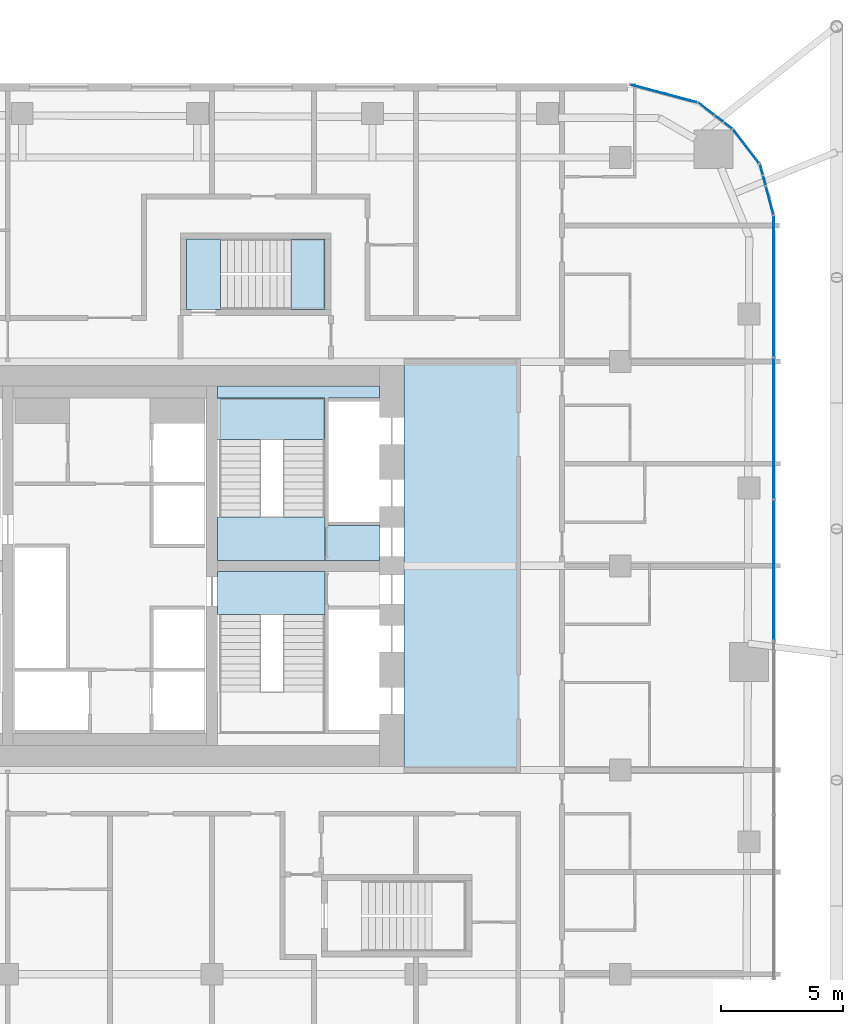
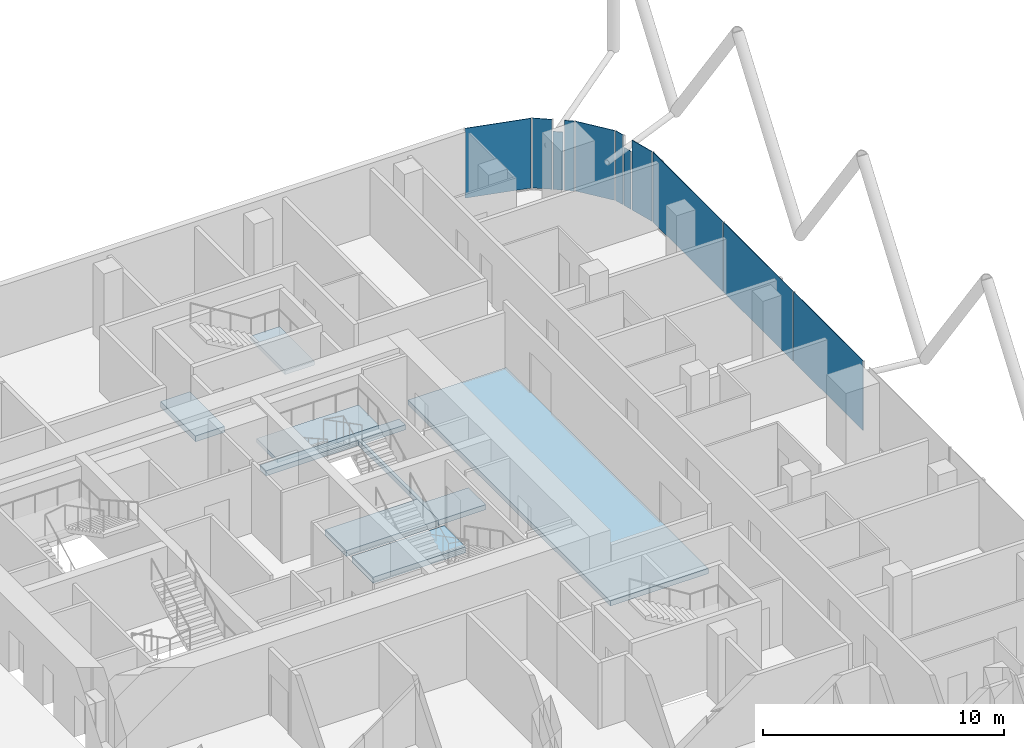
# One storey, part 26 of 36: 11 plates, 7 slabs, 11 elements without a shape of their own.
"""IFC4 building model written with IfcOpenShell, lengths in metres."""

from ifc_helpers import new_model, si_unit, direction, frame, origin, origin_2d, place, context, subcontext, project, spatial, polyline, rectangle, outline, extrude, material, layer, layer_set, type_object, element, aggregate, save


model = new_model("IFC4")

# Units and contexts
model_context = context("Model", 3, precision=1e-05, world=origin(), true_north=direction((0.0, 1.0)))
body_context = subcontext(model_context, "Body", "Model", "MODEL_VIEW")
ifc_project = project(units=[si_unit("LENGTHUNIT", "METRE"), si_unit("AREAUNIT", "SQUARE_METRE"), si_unit("VOLUMEUNIT", "CUBIC_METRE"), si_unit("PLANEANGLEUNIT", "RADIAN"), si_unit("MASSUNIT", "GRAM", prefix="KILO")], contexts=[model_context])

# Site, building, storey
site_placement = place(None, origin())
site = spatial("IfcSite", under=ifc_project, at=site_placement, CompositionType="ELEMENT")
building_placement = place(site_placement, origin())
building = spatial("IfcBuilding", under=site, at=building_placement, Name="Marenta Gate Hotel Tower", CompositionType="ELEMENT")
storey_placement = place(building_placement, frame((0.0, 0.0, 130.10009765625)))
storey = spatial("IfcBuildingStorey", under=building, at=storey_placement, Name="L29", CompositionType="ELEMENT", Elevation=130.10009765625)

# Slabs
ifc_material_1 = material(Name="Concrete C40", Category="concrete")
ifc_layer_1 = layer(ifc_material_1, 0.260009765625)
ifc_layer_set_1 = layer_set([ifc_layer_1], Name="Concrete C40")
slab_type_1 = type_object("IfcSlabType", Name="Core floor slab 260", PredefinedType="FLOOR", material=ifc_layer_set_1)
slab_1_placement = place(storey_placement, frame((0.0, 0.0, -0.260009765625)))
element("IfcSlab", 1, at=slab_1_placement, inside=storey, type_object=slab_type_1, Name="L29-CF-1", PredefinedType="FLOOR", context=body_context, shape_type="SweptSolid", body=[
    extrude(outline(polyline([(12.10009765625, 0.0), (12.10009765625, 16.800048828125), (16.800048828125, 16.800048828125), (16.800048828125, 0.0), (12.10009765625, 0.0)])), origin(), (0.0, 0.0, 1.0), 0.260009765625),
])
slab_2_placement = place(storey_placement, frame((0.0, 0.0, -0.260009765625)))
element("IfcSlab", 2, at=slab_2_placement, inside=storey, type_object=slab_type_1, Name="L29-CF-3", PredefinedType="FLOOR", context=body_context, shape_type="SweptSolid", body=[
    extrude(outline(polyline([(8.85009765625, 15.300048828125), (4.425048828125, 15.300048828125), (4.425048828125, 15.800048828125), (11.10009765625, 15.800048828125), (11.10009765625, 15.300048828125), (9.0, 15.300048828125), (9.0, 15.14990234375), (9.0, 12.75), (9.0, 12.60009765625), (9.0, 10.199951171875), (9.0, 10.050048828125), (11.10009765625, 10.050048828125), (11.10009765625, 8.625), (8.85009765625, 8.625), (8.85009765625, 8.699951171875), (8.85009765625, 10.39990234375), (8.85009765625, 15.300048828125)])), origin(), (0.0, 0.0, 1.0), 0.260009765625),
])

# Stair, slab
ifc_material_2 = material(Name="Concrete C40", Category="concrete")
stair_type_1 = type_object("IfcStairType", Name="Core exit stair 1700 wide", PredefinedType="HALF_TURN_STAIR", material=ifc_material_2)
stair_1_placement = place(storey_placement, origin())
stair_1 = element("IfcStair", 3, at=stair_1_placement, inside=storey, type_object=stair_type_1, Name="Exit stair 4", PredefinedType="HALF_TURN_STAIR")
ifc_material_3 = material(Name="Concrete C40", Category="concrete")
ifc_layer_2 = layer(ifc_material_3, 0.199951171875)
ifc_layer_set_2 = layer_set([ifc_layer_2], Name="Concrete C40")
slab_type_2 = type_object("IfcSlabType", Name="Core stair landing 200", PredefinedType="LANDING", material=ifc_layer_set_2)
slab_3_placement = place(storey_placement, frame((0.0, 0.0, 1.599853515625)))
slab_3 = element("IfcSlab", 4, at=slab_3_placement, type_object=slab_type_2, Name="SL-200 ST4 landing 1", PredefinedType="LANDING", context=body_context, shape_type="SweptSolid", body=[
    extrude(outline(polyline([(3.97509765625, 13.590087890625), (8.85009765625, 13.590087890625), (8.85009765625, 15.300048828125), (3.97509765625, 15.300048828125), (3.97509765625, 13.590087890625)])), origin(), (0.0, 0.0, 1.0), 0.199951171875),
])
aggregate(stair_1, [slab_3])

# Curtain wall, plates
ifc_material_4 = material(Name="Tinted insulated glass in bronze anodised frame", Category="glass")
ifc_layer_3 = layer(ifc_material_4, 0.1201171875)
ifc_layer_set_3 = layer_set([ifc_layer_3], Name="Tinted insulated glass in bronze anodised frame")
curtain_wall_type = type_object("IfcCurtainWallType", Name="Tower unitised curtain wall CW1", PredefinedType="NOTDEFINED", material=ifc_layer_set_3)
curtain_wall_1_placement = place(storey_placement, origin())
curtain_wall_1 = element("IfcCurtainWall", 5, at=curtain_wall_1_placement, inside=storey, type_object=curtain_wall_type, Name="CW1 run G35", PredefinedType="NOTDEFINED")
ifc_material_5 = material(Name="Tinted insulated glass", Category="glass")
ifc_layer_4 = layer(ifc_material_5, 0.028076171875)
ifc_layer_set_4 = layer_set([ifc_layer_4], Name="Tinted insulated glass")
plate_type = type_object("IfcPlateType", Name="Glass panel CW1 28 mm tinted insulated unit", PredefinedType="CURTAIN_PANEL", material=ifc_layer_set_4)
plate_1_placement = place(storey_placement, frame((27.31396484375, 8.2333984375, 0.059814453125), z_axis=(0.0, 0.0, 1.0), x_axis=(0.0, 1.0, 0.0)))
plate_1 = element("IfcPlate", 6, at=plate_1_placement, type_object=plate_type, Name="CW1 panel 1.1", PredefinedType="CURTAIN_PANEL", context=body_context, shape_type="SweptSolid", body=[
    extrude(rectangle(XDim=5.739501953125, YDim=0.028076171875, at=origin_2d()), origin(), (0.0, 0.0, 1.0), 3.5400390625),
])
plate_2_placement = place(storey_placement, frame((27.31396484375, 14.0478515625, 0.059814453125), z_axis=(0.0, 0.0, 1.0), x_axis=(0.0, 1.0, 0.0)))
plate_2 = element("IfcPlate", 7, at=plate_2_placement, type_object=plate_type, Name="CW1 panel 2.1", PredefinedType="CURTAIN_PANEL", context=body_context, shape_type="SweptSolid", body=[
    extrude(rectangle(XDim=5.769287109375, YDim=0.028076171875, at=origin_2d()), origin(), (0.0, 0.0, 1.0), 3.5400390625),
])
plate_3_placement = place(storey_placement, frame((27.31396484375, 19.89208984375, 0.059814453125), z_axis=(0.0, 0.0, 1.0), x_axis=(0.0, 1.0, 0.0)))
plate_3 = element("IfcPlate", 8, at=plate_3_placement, type_object=plate_type, Name="CW1 panel 3.1", PredefinedType="CURTAIN_PANEL", context=body_context, shape_type="SweptSolid", body=[
    extrude(rectangle(XDim=5.79931640625, YDim=0.028076171875, at=origin_2d()), origin(), (0.0, 0.0, 1.0), 3.5400390625),
])
aggregate(curtain_wall_1, [plate_1, plate_2, plate_3])

# Curtain wall, plate
curtain_wall_2_placement = place(storey_placement, origin())
curtain_wall_2 = element("IfcCurtainWall", 9, at=curtain_wall_2_placement, inside=storey, type_object=curtain_wall_type, Name="CW1 run G36", PredefinedType="NOTDEFINED")
plate_4_placement = place(storey_placement, frame((27.14501953125, 23.422607421875, 0.059814453125), z_axis=(0.0, 0.0, 1.0), x_axis=(-0.258816313572, 0.965926558196, 0.0)))
plate_4 = element("IfcPlate", 10, at=plate_4_placement, type_object=plate_type, Name="CW1 panel 1.1", PredefinedType="CURTAIN_PANEL", context=body_context, shape_type="SweptSolid", body=[
    extrude(rectangle(XDim=1.18603515625, YDim=0.028076171875, at=origin_2d()), origin(), (0.0, 0.0, 1.0), 3.5400390625),
])
aggregate(curtain_wall_2, [plate_4])

curtain_wall_3_placement = place(storey_placement, origin())
curtain_wall_3 = element("IfcCurtainWall", 11, at=curtain_wall_3_placement, inside=storey, type_object=curtain_wall_type, Name="CW1 run G37", PredefinedType="NOTDEFINED")
plate_5_placement = place(storey_placement, frame((26.924560546875, 24.2451171875, 0.06005859375), z_axis=(0.0, 0.0, 1.0), x_axis=(-0.258834595648, 0.965921659399, 0.0)))
plate_5 = element("IfcPlate", 12, at=plate_5_placement, type_object=plate_type, Name="CW1 panel 1.1", PredefinedType="CURTAIN_PANEL", context=body_context, shape_type="SweptSolid", body=[
    extrude(rectangle(XDim=0.396728515625, YDim=0.028076171875, at=origin_2d()), origin(), (0.0, 0.0, 1.0), 2.9404296875),
])
aggregate(curtain_wall_3, [plate_5])

curtain_wall_4_placement = place(storey_placement, origin())
curtain_wall_4 = element("IfcCurtainWall", 13, at=curtain_wall_4_placement, inside=storey, type_object=curtain_wall_type, Name="CW1 run G38", PredefinedType="NOTDEFINED")
plate_6_placement = place(storey_placement, frame((26.802001953125, 24.702880859375, 0.059814453125), z_axis=(0.0, 0.0, 1.0), x_axis=(-0.258827623196, 0.965923527755, 0.0)))
plate_6 = element("IfcPlate", 14, at=plate_6_placement, type_object=plate_type, Name="CW1 panel 1.1", PredefinedType="CURTAIN_PANEL", context=body_context, shape_type="SweptSolid", body=[
    extrude(rectangle(XDim=0.431396484375, YDim=0.028076171875, at=origin_2d()), origin(), (0.0, 0.0, 1.0), 3.5400390625),
])
aggregate(curtain_wall_4, [plate_6])

curtain_wall_5_placement = place(storey_placement, origin())
curtain_wall_5 = element("IfcCurtainWall", 15, at=curtain_wall_5_placement, inside=storey, type_object=curtain_wall_type, Name="CW1 run G39", PredefinedType="NOTDEFINED")
plate_7_placement = place(storey_placement, frame((26.177490234375, 25.652099609375, 0.059814453125), z_axis=(0.0, 0.0, 1.0), x_axis=(-0.608796116694, 0.793326722289, 0.0)))
plate_7 = element("IfcPlate", 16, at=plate_7_placement, type_object=plate_type, Name="CW1 panel 1.1", PredefinedType="CURTAIN_PANEL", context=body_context, shape_type="SweptSolid", body=[
    extrude(rectangle(XDim=1.747802734375, YDim=0.028076171875, at=origin_2d()), origin(), (0.0, 0.0, 1.0), 3.5400390625),
])
aggregate(curtain_wall_5, [plate_7])

curtain_wall_6_placement = place(storey_placement, origin())
curtain_wall_6 = element("IfcCurtainWall", 17, at=curtain_wall_6_placement, inside=storey, type_object=curtain_wall_type, Name="CW1 run G40", PredefinedType="NOTDEFINED")
plate_8_placement = place(storey_placement, frame((25.4345703125, 26.50732421875, 0.059814453125), z_axis=(0.0, 0.0, 1.0), x_axis=(-0.793340265701, 0.608778467767, 0.0)))
plate_8 = element("IfcPlate", 18, at=plate_8_placement, type_object=plate_type, Name="CW1 panel 1.1", PredefinedType="CURTAIN_PANEL", context=body_context, shape_type="SweptSolid", body=[
    extrude(rectangle(XDim=0.411865234375, YDim=0.028076171875, at=origin_2d()), origin(), (0.0, 0.0, 1.0), 3.5400390625),
])
aggregate(curtain_wall_6, [plate_8])

curtain_wall_7_placement = place(storey_placement, origin())
curtain_wall_7 = element("IfcCurtainWall", 19, at=curtain_wall_7_placement, inside=storey, type_object=curtain_wall_type, Name="CW1 run G41", PredefinedType="NOTDEFINED")
plate_9_placement = place(storey_placement, frame((25.06201171875, 26.793212890625, 0.06005859375), z_axis=(0.0, 0.0, 1.0), x_axis=(-0.79337187392, 0.608737274752, 0.0)))
plate_9 = element("IfcPlate", 20, at=plate_9_placement, type_object=plate_type, Name="CW1 panel 1.1", PredefinedType="CURTAIN_PANEL", context=body_context, shape_type="SweptSolid", body=[
    extrude(rectangle(XDim=0.406982421875, YDim=0.028076171875, at=origin_2d()), origin(), (0.0, 0.0, 1.0), 2.9404296875),
])
aggregate(curtain_wall_7, [plate_9])

curtain_wall_8_placement = place(storey_placement, origin())
curtain_wall_8 = element("IfcCurtainWall", 21, at=curtain_wall_8_placement, inside=storey, type_object=curtain_wall_type, Name="CW1 run G42", PredefinedType="NOTDEFINED")
plate_10_placement = place(storey_placement, frame((24.5322265625, 27.19970703125, 0.059814453125), z_axis=(0.0, 0.0, 1.0), x_axis=(-0.793295108539, 0.608837310591, 0.0)))
plate_10 = element("IfcPlate", 22, at=plate_10_placement, type_object=plate_type, Name="CW1 panel 1.1", PredefinedType="CURTAIN_PANEL", context=body_context, shape_type="SweptSolid", body=[
    extrude(rectangle(XDim=0.80908203125, YDim=0.028076171875, at=origin_2d()), origin(), (0.0, 0.0, 1.0), 3.5400390625),
])
aggregate(curtain_wall_8, [plate_10])

curtain_wall_9_placement = place(storey_placement, origin())
curtain_wall_9 = element("IfcCurtainWall", 23, at=curtain_wall_9_placement, inside=storey, type_object=curtain_wall_type, Name="CW1 run G43", PredefinedType="NOTDEFINED")
plate_11_placement = place(storey_placement, frame((22.783935546875, 27.82861328125, 0.059814453125), z_axis=(0.0, 0.0, 1.0), x_axis=(-0.965929324305, 0.258805989975, 0.0)))
plate_11 = element("IfcPlate", 24, at=plate_11_placement, type_object=plate_type, Name="CW1 panel 1.1", PredefinedType="CURTAIN_PANEL", context=body_context, shape_type="SweptSolid", body=[
    extrude(rectangle(XDim=2.83544921875, YDim=0.028076171875, at=origin_2d()), origin(), (0.0, 0.0, 1.0), 3.5400390625),
])
aggregate(curtain_wall_9, [plate_11])

# Stair, slab
ifc_material_6 = material(Name="Concrete C40", Category="concrete")
stair_type_2 = type_object("IfcStairType", Name="Remote exit stair 1400 wide", PredefinedType="HALF_TURN_STAIR", material=ifc_material_6)
stair_2_placement = place(storey_placement, origin())
stair_2 = element("IfcStair", 25, at=stair_2_placement, inside=storey, type_object=stair_type_2, Name="Exit stair RS-Z2-4", PredefinedType="HALF_TURN_STAIR")
ifc_material_7 = material(Name="Concrete C40", Category="concrete")
ifc_layer_5 = layer(ifc_material_7, 0.199951171875)
ifc_layer_set_5 = layer_set([ifc_layer_5], Name="Concrete C40")
slab_type_3 = type_object("IfcSlabType", Name="Remote stair landing 200", PredefinedType="LANDING", material=ifc_layer_set_5)
slab_4_placement = place(storey_placement, frame((0.0, 0.0, 1.599853515625)))
slab_4 = element("IfcSlab", 26, at=slab_4_placement, type_object=slab_type_3, Name="RL-200 RS-Z2-4 landing 1", PredefinedType="LANDING", context=body_context, shape_type="SweptSolid", body=[
    extrude(outline(polyline([(7.449951171875, 18.949951171875), (8.85009765625, 18.949951171875), (8.85009765625, 21.85009765625), (7.449951171875, 21.85009765625), (7.449951171875, 18.949951171875)])), origin(), (0.0, 0.0, 1.0), 0.199951171875),
])
aggregate(stair_2, [slab_4])

# Slabs
ifc_material_8 = material(Name="Concrete C40", Category="concrete")
ifc_layer_6 = layer(ifc_material_8, 0.300048828125)
ifc_layer_set_6 = layer_set([ifc_layer_6], Name="Concrete C40")
slab_type_4 = type_object("IfcSlabType", Name="Stair floor landing slab 300", PredefinedType="FLOOR", material=ifc_layer_set_6)
slab_5_placement = place(storey_placement, frame((0.0, 0.0, -0.300048828125)))
element("IfcSlab", 27, at=slab_5_placement, inside=storey, type_object=slab_type_4, Name="L29-CL-ST3-1", PredefinedType="FLOOR", context=body_context, shape_type="SweptSolid", body=[
    extrude(outline(polyline([(4.425048828125, 6.39990234375), (4.425048828125, 8.175048828125), (8.85009765625, 8.175048828125), (8.85009765625, 8.10009765625), (8.85009765625, 6.39990234375), (4.425048828125, 6.39990234375)])), origin(), (0.0, 0.0, 1.0), 0.300048828125),
])
slab_6_placement = place(storey_placement, frame((0.0, 0.0, -0.300048828125)))
element("IfcSlab", 28, at=slab_6_placement, inside=storey, type_object=slab_type_4, Name="L29-CL-ST4-1", PredefinedType="FLOOR", context=body_context, shape_type="SweptSolid", body=[
    extrude(outline(polyline([(4.425048828125, 8.625), (4.425048828125, 10.39990234375), (8.85009765625, 10.39990234375), (8.85009765625, 8.699951171875), (8.85009765625, 8.625), (4.425048828125, 8.625)])), origin(), (0.0, 0.0, 1.0), 0.300048828125),
])
slab_7_placement = place(storey_placement, frame((0.0, 0.0, -0.300048828125)))
element("IfcSlab", 29, at=slab_7_placement, inside=storey, type_object=slab_type_4, Name="L29-RS-Z2-4-CL", PredefinedType="FLOOR", context=body_context, shape_type="SweptSolid", body=[
    extrude(outline(polyline([(4.550048828125, 18.949951171875), (4.550048828125, 21.85009765625), (3.14990234375, 21.85009765625), (3.14990234375, 18.949951171875), (4.550048828125, 18.949951171875)])), origin(), (0.0, 0.0, 1.0), 0.300048828125),
])

save(model, "model.ifc")
